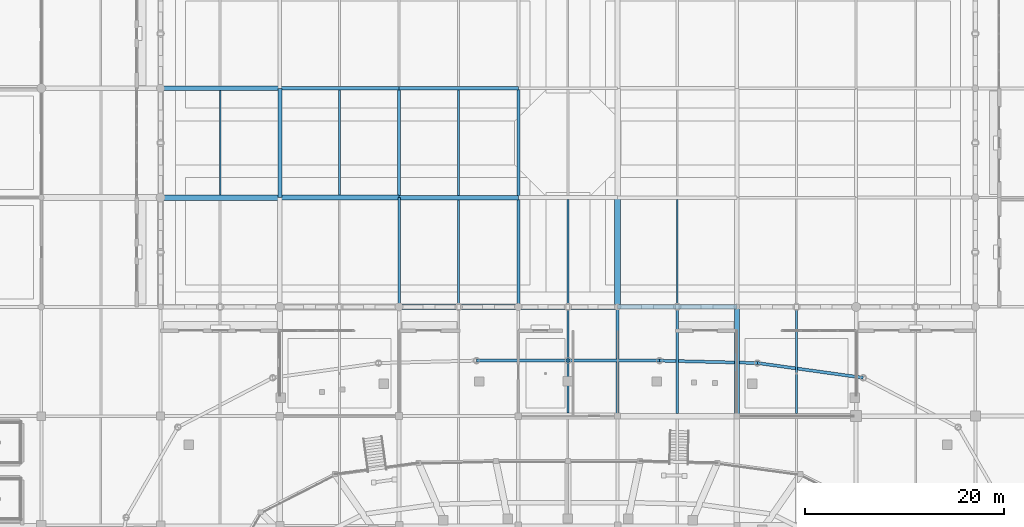
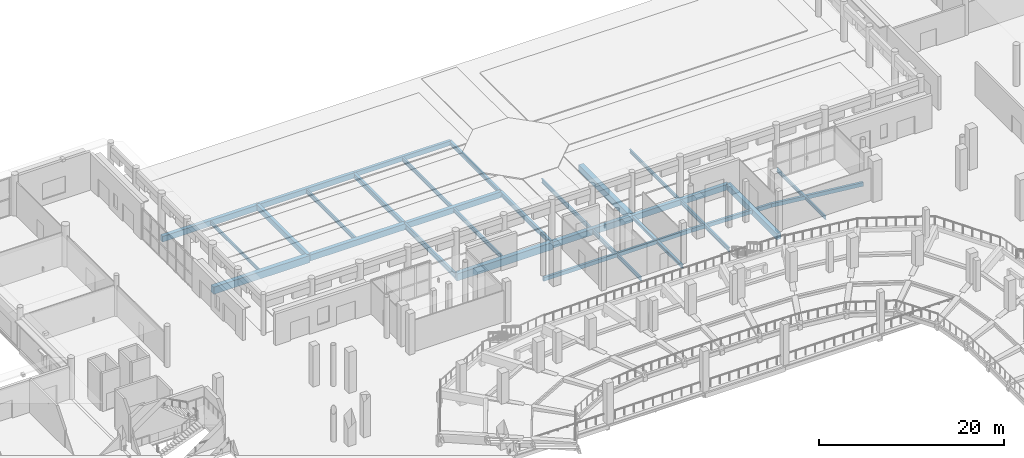
# One storey, part 28 of 120: 30 beams.
"""IFC4 building model written with IfcOpenShell, lengths in metres."""

from ifc_helpers import new_model, si_unit, direction, frame, origin, origin_2d, place, context, subcontext, project, spatial, rectangle, hollow_rectangle, i_section, extrude, material, material_profile, profile_set, type_object, element, save


model = new_model("IFC4")

# Units and contexts
model_context = context("Model", 3, precision=1e-05, world=origin(), true_north=direction((0.0, 1.0)))
body_context = subcontext(model_context, "Body", "Model", "MODEL_VIEW")
ifc_project = project(units=[si_unit("LENGTHUNIT", "METRE"), si_unit("AREAUNIT", "SQUARE_METRE"), si_unit("VOLUMEUNIT", "CUBIC_METRE"), si_unit("PLANEANGLEUNIT", "RADIAN"), si_unit("MASSUNIT", "GRAM", prefix="KILO")], contexts=[model_context])

# Site, building, storey
site_placement = place(None, origin())
site = spatial("IfcSite", under=ifc_project, at=site_placement, CompositionType="ELEMENT")
building_placement = place(site_placement, origin())
building = spatial("IfcBuilding", under=site, at=building_placement, Name="Luwafu Chhajja Arena", CompositionType="ELEMENT")
storey_placement = place(building_placement, origin())
storey = spatial("IfcBuildingStorey", under=building, at=storey_placement, Name="L00", CompositionType="ELEMENT", Elevation=0.0)

# Beams
ifc_material_1 = material(Name="Concrete C35/45", Category="concrete")
ifc_material_profile_1 = material_profile(ifc_material_1, rectangle(XDim=0.35009765625, YDim=0.60009765625, at=origin_2d()), Name="RC 350x600")
ifc_profile_set_1 = profile_set([ifc_material_profile_1], Name="Concrete C35/45")
beam_type_1 = type_object("IfcBeamType", Name="Arcade Tie Beam RC 350x600", PredefinedType="BEAM", material=ifc_profile_set_1)
beam_1_placement = place(storey_placement, frame((82.0, 121.0, -0.64990234375), z_axis=(1.0, 0.0, 0.0), x_axis=(0.0, 1.0, 0.0)))
element("IfcBeam", 1, at=beam_1_placement, inside=storey, type_object=beam_type_1, Name="L00 Grid Beam 8-9/M", PredefinedType="BEAM", context=body_context, shape_type="SweptSolid", body=[
    extrude(rectangle(XDim=0.35009765625, YDim=0.60009765625, at=origin_2d()), origin(), (0.0, 0.0, 1.0), 12.0),
])
ifc_material_profile_2 = material_profile(ifc_material_1, rectangle(XDim=0.60009765625, YDim=0.89990234375, at=origin_2d()), Name="RC 600x900")
ifc_profile_set_2 = profile_set([ifc_material_profile_2], Name="Concrete C35/45")
beam_type_2 = type_object("IfcBeamType", Name="Concourse Primary Girder RC 600x900", PredefinedType="BEAM", material=ifc_profile_set_2)
beam_2_placement = place(storey_placement, frame((104.0, 99.0, -0.800048828125), z_axis=(0.0, 1.0, 0.0), x_axis=(-1.0, 0.0, 0.0)))
element("IfcBeam", 2, at=beam_2_placement, inside=storey, type_object=beam_type_2, Name="L00 Grid Beam 10/K-L", PredefinedType="BEAM", context=body_context, shape_type="SweptSolid", body=[
    extrude(rectangle(XDim=0.60009765625, YDim=0.89990234375, at=origin_2d()), origin(), (0.0, 0.0, 1.0), 11.0),
])
ifc_material_profile_3 = material_profile(ifc_material_1, rectangle(XDim=0.550048828125, YDim=0.949951171875, at=origin_2d()), Name="RC 550x950")
ifc_profile_set_3 = profile_set([ifc_material_profile_3], Name="Concrete C35/45")
beam_type_3 = type_object("IfcBeamType", Name="Concourse Radial Girder RC 550x950", PredefinedType="BEAM", material=ifc_profile_set_3)
for number, where, z_axis, x_axis, name in (
    (3, (58.0, 110.0, -0.824951171875), (1.0, 0.0, 0.0), (0.0, 1.0, 0.0), "L00 Grid Beam 6-7/L"),
    (4, (82.0, 99.0, -0.824951171875), (1.0, 0.0, 0.0), (0.0, 1.0, 0.0), "L00 Grid Beam 8-9/K"),
):
    element("IfcBeam", number, at=place(storey_placement, frame(where, z_axis=z_axis, x_axis=x_axis)), inside=storey, type_object=beam_type_3, Name=name, PredefinedType="BEAM", context=body_context, shape_type="SweptSolid", body=[
        extrude(rectangle(XDim=0.550048828125, YDim=0.949951171875, at=origin_2d()), origin(), (0.0, 0.0, 1.0), 12.0),
    ])
ifc_material_2 = material(Name="Steel S355", Category="steel")
ifc_material_profile_4 = material_profile(ifc_material_2, i_section(OverallWidth=0.15283203125, OverallDepth=0.45458984375, WebThickness=0.008056640625, FlangeThickness=0.01318359375, at=origin_2d()), Name="UB 457x152x60")
ifc_profile_set_4 = profile_set([ifc_material_profile_4], Name="Steel S355")
beam_type_4 = type_object("IfcBeamType", Name="Floor Joist UB 457x152x60", PredefinedType="JOIST", material=ifc_profile_set_4)
beam_3_placement = place(storey_placement, frame((64.0, 110.27490234375, -0.577392578125), z_axis=(0.0, 1.0, 0.0), x_axis=(-1.0, 0.0, 0.0)))
element("IfcBeam", 5, at=beam_3_placement, inside=storey, type_object=beam_type_4, Name="L00 Secondary Joist 6-7/L", PredefinedType="JOIST", context=body_context, shape_type="SweptSolid", body=[
    extrude(i_section(OverallWidth=0.15283203125, OverallDepth=0.45458984375, WebThickness=0.008056640625, FlangeThickness=0.01318359375, at=origin_2d()), origin(), (0.0, 0.0, 1.0), 10.5),
])
ifc_material_profile_5 = material_profile(ifc_material_2, i_section(OverallWidth=0.19140625, OverallDepth=0.4599609375, WebThickness=0.010009765625, FlangeThickness=0.01611328125, at=origin_2d()), Name="UB 457x191x82")
ifc_profile_set_5 = profile_set([ifc_material_profile_5], Name="Steel S355")
beam_type_5 = type_object("IfcBeamType", Name="Floor Joist UB 457x191x82", PredefinedType="JOIST", material=ifc_profile_set_5)
beam_4_placement = place(storey_placement, frame((110.0, 99.22509765625, -0.580078125), z_axis=(0.0, 1.0, 0.0), x_axis=(-1.0, 0.0, 0.0)))
element("IfcBeam", 6, at=beam_4_placement, inside=storey, type_object=beam_type_5, Name="L00 Secondary Joist 10-11/K", PredefinedType="JOIST", context=body_context, shape_type="SweptSolid", body=[
    extrude(i_section(OverallWidth=0.19140625, OverallDepth=0.4599609375, WebThickness=0.010009765625, FlangeThickness=0.01611328125, at=origin_2d()), origin(), (0.0, 0.0, 1.0), 10.599853515625),
])
beam_5_placement = place(storey_placement, frame((122.0, 88.25, -0.580078125), z_axis=(0.0, 1.0, 0.0), x_axis=(-1.0, 0.0, 0.0)))
element("IfcBeam", 7, at=beam_5_placement, inside=storey, type_object=beam_type_5, Name="L00 Secondary Joist 11-12/J", PredefinedType="JOIST", context=body_context, shape_type="SweptSolid", body=[
    extrude(i_section(OverallWidth=0.19140625, OverallDepth=0.4599609375, WebThickness=0.010009765625, FlangeThickness=0.01611328125, at=origin_2d()), origin(), (0.0, 0.0, 1.0), 10.550048828125),
])
ifc_material_profile_6 = material_profile(ifc_material_2, i_section(OverallWidth=0.2099609375, OverallDepth=0.53662109375, WebThickness=0.0107421875, FlangeThickness=0.017333984375, at=origin_2d()), Name="UB 533x210x101")
ifc_profile_set_6 = profile_set([ifc_material_profile_6], Name="Steel S355")
beam_type_6 = type_object("IfcBeamType", Name="Floor Joist UB 533x210x101", PredefinedType="JOIST", material=ifc_profile_set_6)
beam_6_placement = place(storey_placement, frame((76.0, 110.25, -0.618408203125), z_axis=(0.0, 1.0, 0.0), x_axis=(-1.0, 0.0, 0.0)))
element("IfcBeam", 8, at=beam_6_placement, inside=storey, type_object=beam_type_6, Name="L00 Secondary Joist 7-8/L", PredefinedType="JOIST", context=body_context, shape_type="SweptSolid", body=[
    extrude(i_section(OverallWidth=0.2099609375, OverallDepth=0.53662109375, WebThickness=0.0107421875, FlangeThickness=0.017333984375, at=origin_2d()), origin(), (0.0, 0.0, 1.0), 10.550048828125),
])
beam_7_placement = place(storey_placement, frame((88.0, 99.27490234375, -0.618408203125), z_axis=(0.0, 1.0, 0.0), x_axis=(-1.0, 0.0, 0.0)))
element("IfcBeam", 9, at=beam_7_placement, inside=storey, type_object=beam_type_6, Name="L00 Secondary Joist 8-9/K", PredefinedType="JOIST", context=body_context, shape_type="SweptSolid", body=[
    extrude(i_section(OverallWidth=0.2099609375, OverallDepth=0.53662109375, WebThickness=0.0107421875, FlangeThickness=0.017333984375, at=origin_2d()), origin(), (0.0, 0.0, 1.0), 10.5),
])
beam_8_placement = place(storey_placement, frame((99.0, 88.300048828125, -0.618408203125), z_axis=(0.0, 1.0, 0.0), x_axis=(-1.0, 0.0, 0.0)))
element("IfcBeam", 10, at=beam_8_placement, inside=storey, type_object=beam_type_6, Name="L00 Secondary Joist 9-10/J", PredefinedType="JOIST", context=body_context, shape_type="SweptSolid", body=[
    extrude(i_section(OverallWidth=0.2099609375, OverallDepth=0.53662109375, WebThickness=0.0107421875, FlangeThickness=0.017333984375, at=origin_2d()), origin(), (0.0, 0.0, 1.0), 10.449951171875),
])
ifc_material_profile_7 = material_profile(ifc_material_2, i_section(OverallWidth=0.209228515625, OverallDepth=0.533203125, WebThickness=0.010009765625, FlangeThickness=0.015625, at=origin_2d()), Name="UB 533x210x92")
ifc_profile_set_7 = profile_set([ifc_material_profile_7], Name="Steel S355")
beam_type_7 = type_object("IfcBeamType", Name="Floor Joist UB 533x210x92", PredefinedType="JOIST", material=ifc_profile_set_7)
beam_9_placement = place(storey_placement, frame((88.0, 110.22509765625, -0.616455078125), z_axis=(0.0, 1.0, 0.0), x_axis=(-1.0, 0.0, 0.0)))
element("IfcBeam", 11, at=beam_9_placement, inside=storey, type_object=beam_type_7, Name="L00 Secondary Joist 8-9/L", PredefinedType="JOIST", context=body_context, shape_type="SweptSolid", body=[
    extrude(i_section(OverallWidth=0.209228515625, OverallDepth=0.533203125, WebThickness=0.010009765625, FlangeThickness=0.015625, at=origin_2d()), origin(), (0.0, 0.0, 1.0), 10.599853515625),
])
beam_10_placement = place(storey_placement, frame((99.0, 99.25, -0.616455078125), z_axis=(0.0, 1.0, 0.0), x_axis=(-1.0, 0.0, 0.0)))
element("IfcBeam", 12, at=beam_10_placement, inside=storey, type_object=beam_type_7, Name="L00 Secondary Joist 9-10/K", PredefinedType="JOIST", context=body_context, shape_type="SweptSolid", body=[
    extrude(i_section(OverallWidth=0.209228515625, OverallDepth=0.533203125, WebThickness=0.010009765625, FlangeThickness=0.015625, at=origin_2d()), origin(), (0.0, 0.0, 1.0), 10.550048828125),
])
beam_11_placement = place(storey_placement, frame((110.0, 88.27490234375, -0.616455078125), z_axis=(0.0, 1.0, 0.0), x_axis=(-1.0, 0.0, 0.0)))
element("IfcBeam", 13, at=beam_11_placement, inside=storey, type_object=beam_type_7, Name="L00 Secondary Joist 10-11/J", PredefinedType="JOIST", context=body_context, shape_type="SweptSolid", body=[
    extrude(i_section(OverallWidth=0.209228515625, OverallDepth=0.533203125, WebThickness=0.010009765625, FlangeThickness=0.015625, at=origin_2d()), origin(), (0.0, 0.0, 1.0), 10.5),
])
ifc_material_profile_8 = material_profile(ifc_material_1, rectangle(XDim=0.5, YDim=0.800048828125, at=origin_2d()), Name="RC 500x800")
ifc_profile_set_8 = profile_set([ifc_material_profile_8], Name="Concrete C35/45")
beam_type_8 = type_object("IfcBeamType", Name="Hospitality Primary Beam RC 500x800", PredefinedType="BEAM", material=ifc_profile_set_8)
beam_12_placement = place(storey_placement, frame((70.0, 110.0, -0.75), z_axis=(1.0, 0.0, 0.0), x_axis=(0.0, 1.0, 0.0)))
element("IfcBeam", 14, at=beam_12_placement, inside=storey, type_object=beam_type_8, Name="L00 Grid Beam 7-8/L", PredefinedType="BEAM", context=body_context, shape_type="SweptSolid", body=[
    extrude(rectangle(XDim=0.5, YDim=0.800048828125, at=origin_2d()), origin(), (0.0, 0.0, 1.0), 12.0),
])
beam_13_placement = place(storey_placement, frame((94.0, 99.0, -0.75), z_axis=(1.0, 0.0, 0.0), x_axis=(0.0, 1.0, 0.0)))
element("IfcBeam", 15, at=beam_13_placement, inside=storey, type_object=beam_type_8, Name="L00 Grid Beam 9-10/K", PredefinedType="BEAM", context=body_context, shape_type="SweptSolid", body=[
    extrude(rectangle(XDim=0.5, YDim=0.800048828125, at=origin_2d()), origin(), (0.0, 0.0, 1.0), 10.0),
])
beam_14_placement = place(storey_placement, frame((116.0, 88.0, -0.75), z_axis=(0.0, 1.0, 0.0), x_axis=(-1.0, 0.0, 0.0)))
element("IfcBeam", 16, at=beam_14_placement, inside=storey, type_object=beam_type_8, Name="L00 Grid Beam 11/J-K", PredefinedType="BEAM", context=body_context, shape_type="SweptSolid", body=[
    extrude(rectangle(XDim=0.5, YDim=0.800048828125, at=origin_2d()), origin(), (0.0, 0.0, 1.0), 11.0),
])
ifc_material_profile_9 = material_profile(ifc_material_2, hollow_rectangle(XDim=0.300048828125, YDim=0.5, WallThickness=0.02001953125, at=origin_2d()), Name="RHS 500x300x20")
ifc_profile_set_9 = profile_set([ifc_material_profile_9], Name="Steel S355")
beam_type_9 = type_object("IfcBeamType", Name="Pleated Drum Spandrel Beam RHS 500x300", PredefinedType="SPANDREL", material=ifc_profile_set_9)
beam_15_placement = place(storey_placement, frame((128.718017578125, 91.86279296875, -0.60009765625), z_axis=(-0.990458730054, 0.137809666058, 0.0), x_axis=(-0.137809666058, -0.990458730054, 0.0)))
element("IfcBeam", 17, at=beam_15_placement, inside=storey, type_object=beam_type_9, Name="L00 Drum Ring Spandrel D06-D07", PredefinedType="SPANDREL", context=body_context, shape_type="SweptSolid", body=[
    extrude(hollow_rectangle(XDim=0.300048828125, YDim=0.5, WallThickness=0.02001953125, at=origin_2d()), origin(), (0.0, 0.0, 1.0), 10.75341796875),
])
beam_16_placement = place(storey_placement, frame((118.067138671875, 93.3447265625, -0.60009765625), z_axis=(-0.999695420837, 0.024679253567, 0.0), x_axis=(-0.024679253567, -0.999695420837, 0.0)))
element("IfcBeam", 18, at=beam_16_placement, inside=storey, type_object=beam_type_9, Name="L00 Drum Ring Spandrel D07-D08", PredefinedType="SPANDREL", context=body_context, shape_type="SweptSolid", body=[
    extrude(hollow_rectangle(XDim=0.300048828125, YDim=0.5, WallThickness=0.02001953125, at=origin_2d()), origin(), (0.0, 0.0, 1.0), 9.86279296875),
])
for number, where, z_axis, x_axis, name in (
    (19, (108.207275390625, 93.588134765625, -0.60009765625), (-0.999999155928, 0.001299285621, 0.0), (-0.001299285621, -0.999999155928, 0.0), "L00 Drum Ring Spandrel D08-D09"),
    (20, (99.0, 93.60009765625, -0.60009765625), (-0.999999155928, -0.001299285621, 0.0), (0.001299285621, -0.999999155928, 0.0), "L00 Drum Ring Spandrel D09-D10"),
):
    element("IfcBeam", number, at=place(storey_placement, frame(where, z_axis=z_axis, x_axis=x_axis)), inside=storey, type_object=beam_type_9, Name=name, PredefinedType="SPANDREL", context=body_context, shape_type="SweptSolid", body=[
        extrude(hollow_rectangle(XDim=0.300048828125, YDim=0.5, WallThickness=0.02001953125, at=origin_2d()), origin(), (0.0, 0.0, 1.0), 9.207275390625),
    ])
ifc_material_profile_10 = material_profile(ifc_material_2, i_section(OverallWidth=0.300048828125, OverallDepth=0.5, WebThickness=0.014404296875, FlangeThickness=0.028076171875, at=origin_2d()), Name="HEB 500")
ifc_profile_set_10 = profile_set([ifc_material_profile_10], Name="Steel S355")
beam_type_10 = type_object("IfcBeamType", Name="Steel Atrium Tie Girder HEB 500", PredefinedType="BEAM", material=ifc_profile_set_10)
beam_17_placement = place(storey_placement, frame((94.0, 110.0, -0.60009765625), z_axis=(0.0, 1.0, 0.0), x_axis=(-1.0, 0.0, 0.0)))
element("IfcBeam", 21, at=beam_17_placement, inside=storey, type_object=beam_type_10, Name="L00 Grid Beam 9/L-M", PredefinedType="BEAM", context=body_context, shape_type="SweptSolid", body=[
    extrude(i_section(OverallWidth=0.300048828125, OverallDepth=0.5, WebThickness=0.014404296875, FlangeThickness=0.028076171875, at=origin_2d()), origin(), (0.0, 0.0, 1.0), 11.0),
])
ifc_material_profile_11 = material_profile(ifc_material_2, i_section(OverallWidth=0.253662109375, OverallDepth=0.68359375, WebThickness=0.012451171875, FlangeThickness=0.01904296875, at=origin_2d()), Name="UB 686x254x140")
ifc_profile_set_11 = profile_set([ifc_material_profile_11], Name="Steel S355")
beam_type_11 = type_object("IfcBeamType", Name="Steel Concourse Girder UB 686x254x140", PredefinedType="BEAM", material=ifc_profile_set_11)
beam_18_placement = place(storey_placement, frame((82.0, 99.0, -0.691650390625), z_axis=(0.0, 1.0, 0.0), x_axis=(-1.0, 0.0, 0.0)))
element("IfcBeam", 22, at=beam_18_placement, inside=storey, type_object=beam_type_11, Name="L00 Grid Beam 8/K-L", PredefinedType="BEAM", context=body_context, shape_type="SweptSolid", body=[
    extrude(i_section(OverallWidth=0.253662109375, OverallDepth=0.68359375, WebThickness=0.012451171875, FlangeThickness=0.01904296875, at=origin_2d()), origin(), (0.0, 0.0, 1.0), 11.0),
])
ifc_material_profile_12 = material_profile(ifc_material_2, i_section(OverallWidth=0.300048828125, OverallDepth=0.60009765625, WebThickness=0.015380859375, FlangeThickness=0.030029296875, at=origin_2d()), Name="HEB 600")
ifc_profile_set_12 = profile_set([ifc_material_profile_12], Name="Steel S355")
beam_type_12 = type_object("IfcBeamType", Name="Steel Gallery Girder HEB 600", PredefinedType="BEAM", material=ifc_profile_set_12)
beam_19_placement = place(storey_placement, frame((94.0, 99.0, -0.64990234375), z_axis=(0.0, 1.0, 0.0), x_axis=(-1.0, 0.0, 0.0)))
element("IfcBeam", 23, at=beam_19_placement, inside=storey, type_object=beam_type_12, Name="L00 Grid Beam 9/K-L", PredefinedType="BEAM", context=body_context, shape_type="SweptSolid", body=[
    extrude(i_section(OverallWidth=0.300048828125, OverallDepth=0.60009765625, WebThickness=0.015380859375, FlangeThickness=0.030029296875, at=origin_2d()), origin(), (0.0, 0.0, 1.0), 11.0),
])
ifc_material_profile_13 = material_profile(ifc_material_2, i_section(OverallWidth=0.30712890625, OverallDepth=0.6201171875, WebThickness=0.01416015625, FlangeThickness=0.023681640625, at=origin_2d()), Name="UB 610x305x179")
ifc_profile_set_13 = profile_set([ifc_material_profile_13], Name="Steel S355")
beam_type_13 = type_object("IfcBeamType", Name="Steel Hospitality Girder UB 610x305x179", PredefinedType="BEAM", material=ifc_profile_set_13)
beam_20_placement = place(storey_placement, frame((82.0, 110.0, -0.66015625), z_axis=(0.0, 1.0, 0.0), x_axis=(-1.0, 0.0, 0.0)))
element("IfcBeam", 24, at=beam_20_placement, inside=storey, type_object=beam_type_13, Name="L00 Grid Beam 8/L-M", PredefinedType="BEAM", context=body_context, shape_type="SweptSolid", body=[
    extrude(i_section(OverallWidth=0.30712890625, OverallDepth=0.6201171875, WebThickness=0.01416015625, FlangeThickness=0.023681640625, at=origin_2d()), origin(), (0.0, 0.0, 1.0), 11.0),
])
ifc_material_profile_14 = material_profile(ifc_material_2, i_section(OverallWidth=0.300048828125, OverallDepth=0.39990234375, WebThickness=0.013427734375, FlangeThickness=0.02392578125, at=origin_2d()), Name="HEB 400")
ifc_profile_set_14 = profile_set([ifc_material_profile_14], Name="Steel S355")
beam_type_14 = type_object("IfcBeamType", Name="Steel Rigging Grid Beam HEB 400", PredefinedType="BEAM", material=ifc_profile_set_14)
beam_21_placement = place(storey_placement, frame((104.0, 88.0, -0.550048828125), z_axis=(0.0, 1.0, 0.0), x_axis=(-1.0, 0.0, 0.0)))
element("IfcBeam", 25, at=beam_21_placement, inside=storey, type_object=beam_type_14, Name="L00 Grid Beam 10/J-K", PredefinedType="BEAM", context=body_context, shape_type="SweptSolid", body=[
    extrude(i_section(OverallWidth=0.300048828125, OverallDepth=0.39990234375, WebThickness=0.013427734375, FlangeThickness=0.02392578125, at=origin_2d()), origin(), (0.0, 0.0, 1.0), 11.0),
])
ifc_material_profile_15 = material_profile(ifc_material_1, rectangle(XDim=0.39990234375, YDim=0.699951171875, at=origin_2d()), Name="RC 400x700")
ifc_profile_set_15 = profile_set([ifc_material_profile_15], Name="Concrete C35/45")
beam_type_15 = type_object("IfcBeamType", Name="Wing Frame Beam RC 400x700", PredefinedType="BEAM", material=ifc_profile_set_15)
beam_22_placement = place(storey_placement, frame((70.0, 121.0, -0.699951171875), z_axis=(1.0, 0.0, 0.0), x_axis=(0.0, 1.0, 0.0)))
element("IfcBeam", 26, at=beam_22_placement, inside=storey, type_object=beam_type_15, Name="L00 Grid Beam 7-8/M", PredefinedType="BEAM", context=body_context, shape_type="SweptSolid", body=[
    extrude(rectangle(XDim=0.39990234375, YDim=0.699951171875, at=origin_2d()), origin(), (0.0, 0.0, 1.0), 12.0),
])
beam_23_placement = place(storey_placement, frame((70.0, 110.0, -0.699951171875), z_axis=(0.0, 1.0, 0.0), x_axis=(-1.0, 0.0, 0.0)))
element("IfcBeam", 27, at=beam_23_placement, inside=storey, type_object=beam_type_15, Name="L00 Grid Beam 7/L-M", PredefinedType="BEAM", context=body_context, shape_type="SweptSolid", body=[
    extrude(rectangle(XDim=0.39990234375, YDim=0.699951171875, at=origin_2d()), origin(), (0.0, 0.0, 1.0), 11.0),
])
ifc_material_profile_16 = material_profile(ifc_material_1, rectangle(XDim=0.449951171875, YDim=0.75, at=origin_2d()), Name="RC 450x750")
ifc_profile_set_16 = profile_set([ifc_material_profile_16], Name="Concrete C35/45")
beam_type_16 = type_object("IfcBeamType", Name="Wing Primary Beam RC 450x750", PredefinedType="BEAM", material=ifc_profile_set_16)
for number, where, z_axis, x_axis, name in (
    (28, (58.0, 121.0, -0.72509765625), (1.0, 0.0, 0.0), (0.0, 1.0, 0.0), "L00 Grid Beam 6-7/M"),
    (29, (82.0, 110.0, -0.72509765625), (1.0, 0.0, 0.0), (0.0, 1.0, 0.0), "L00 Grid Beam 8-9/L"),
    (30, (104.0, 99.0, -0.72509765625), (1.0, 0.0, 0.0), (0.0, 1.0, 0.0), "L00 Grid Beam 10-11/K"),
):
    element("IfcBeam", number, at=place(storey_placement, frame(where, z_axis=z_axis, x_axis=x_axis)), inside=storey, type_object=beam_type_16, Name=name, PredefinedType="BEAM", context=body_context, shape_type="SweptSolid", body=[
        extrude(rectangle(XDim=0.449951171875, YDim=0.75, at=origin_2d()), origin(), (0.0, 0.0, 1.0), 12.0),
    ])

save(model, "model.ifc")
